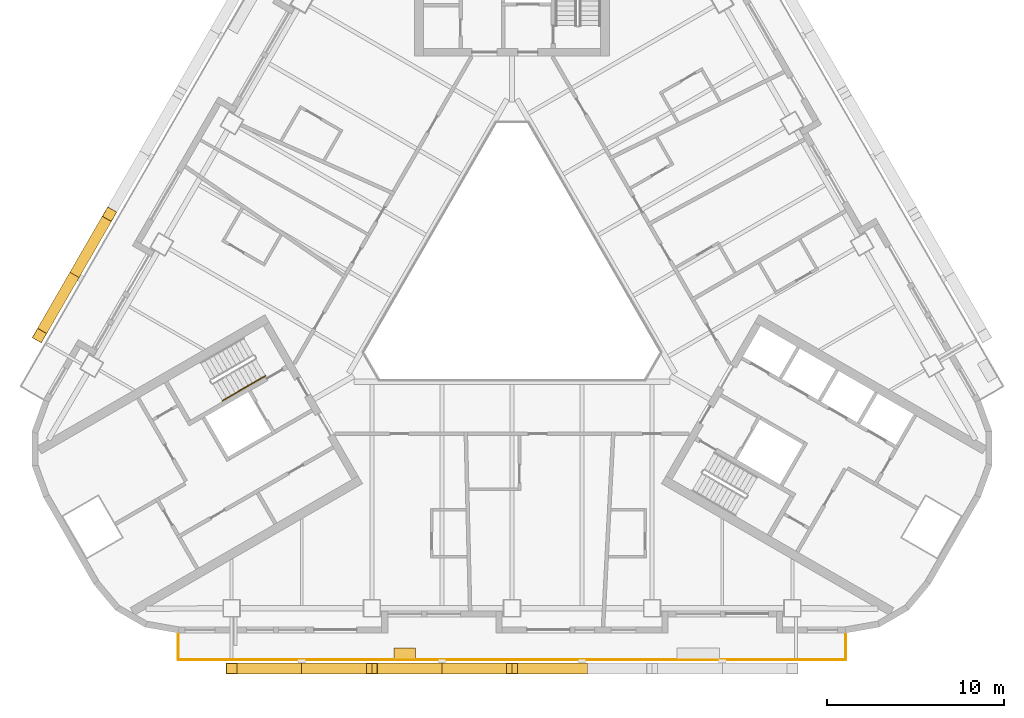
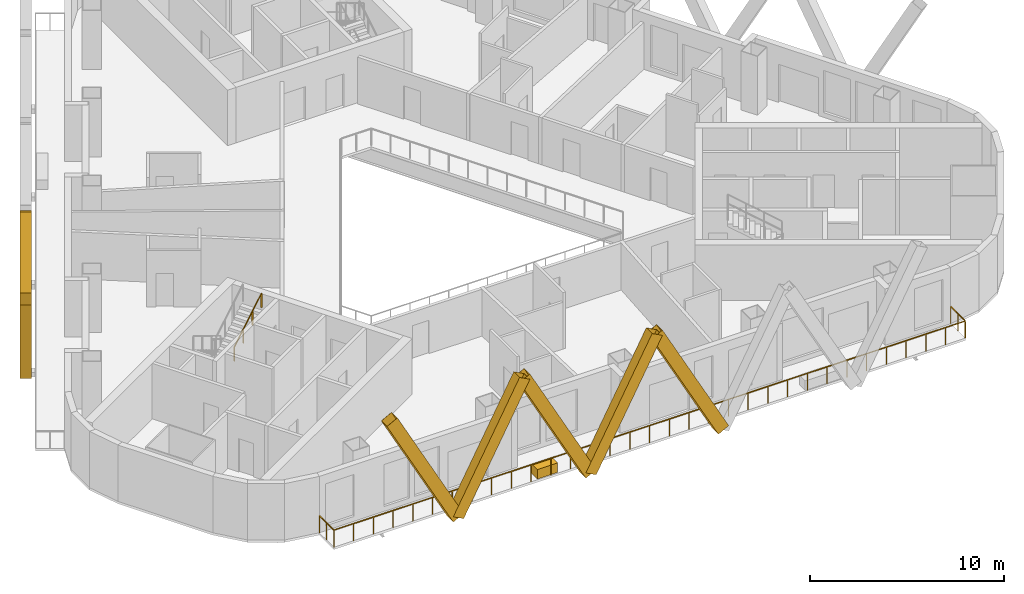
# One storey, part 8 of 13: 7 shading devices, 2 railings, 1 covering.
"""IFC4 building model written with IfcOpenShell, lengths in metres."""

from ifc_helpers import new_model, si_unit, direction, frame, origin, origin_2d, place, context, subcontext, project, spatial, rectangle, hollow_rectangle, circle, extrude, material, material_profile, profile_set, type_object, element, save


model = new_model("IFC4")

# Units and contexts
model_context = context("Model", 3, precision=1e-05, world=origin(), true_north=direction((0.0, 1.0)))
body_context = subcontext(model_context, "Body", "Model", "MODEL_VIEW")
ifc_project = project(units=[si_unit("LENGTHUNIT", "METRE"), si_unit("AREAUNIT", "SQUARE_METRE"), si_unit("VOLUMEUNIT", "CUBIC_METRE"), si_unit("PLANEANGLEUNIT", "RADIAN"), si_unit("MASSUNIT", "GRAM", prefix="KILO")], contexts=[model_context])

# Site, building, storey
site_placement = place(None, origin())
site = spatial("IfcSite", under=ifc_project, at=site_placement, CompositionType="ELEMENT")
building_placement = place(site_placement, origin())
building = spatial("IfcBuilding", under=site, at=building_placement, Name="Apuvela Tower Hotel", CompositionType="ELEMENT")
storey_placement = place(building_placement, frame((0.0, 0.0, 83.5)))
storey = spatial("IfcBuildingStorey", under=building, at=storey_placement, Name="L18", CompositionType="ELEMENT", Elevation=83.5)

# Railing
ifc_material_1 = material(Name="Stainless steel 316 handrail", Category="steel")
railing_type_1 = type_object("IfcRailingType", Name="COR-HANDRAIL-900", PredefinedType="HANDRAIL", material=ifc_material_1)
railing_1_placement = place(storey_placement, frame((-16.31884765625, -6.534912109375, 2.01806640625)))
element("IfcRailing", 1, at=railing_1_placement, inside=storey, type_object=railing_type_1, Name="L18 ST2 stair handrail 2", PredefinedType="HANDRAIL", context=body_context, shape_type="SweptSolid", body=[
    extrude(circle(Radius=0.02392578125, at=origin_2d()), frame((0.0, 0.0, 0.8759765625), z_axis=(0.742390482028, 0.42860119049, 0.514934356695), x_axis=(-0.49998411664, 0.866034573852, 0.0)), (0.0, 0.0, 1.0), 3.26611328125),
    extrude(rectangle(XDim=0.0419921875, YDim=0.0419921875, at=origin_2d()), origin(), (0.0, 0.0, 1.0), 0.851806640625),
    extrude(rectangle(XDim=0.0419921875, YDim=0.0419921875, at=origin_2d()), frame((0.808349609375, 0.466552734375, 0.560546875)), (0.0, 0.0, 1.0), 0.851806640625),
    extrude(rectangle(XDim=0.0419921875, YDim=0.0419921875, at=origin_2d()), frame((1.616455078125, 0.933349609375, 1.121337890625)), (0.0, 0.0, 1.0), 0.851806640625),
    extrude(rectangle(XDim=0.0419921875, YDim=0.0419921875, at=origin_2d()), frame((2.4248046875, 1.39990234375, 1.681884765625)), (0.0, 0.0, 1.0), 0.851806640625),
])

# Shading devices
ifc_material_2 = material(Name="Aluminium 6063-T6, black anodised", Category="aluminium")
ifc_material_profile = material_profile(ifc_material_2, hollow_rectangle(XDim=0.60009765625, YDim=0.699951171875, WallThickness=0.011962890625, at=origin_2d()), Name="AL BOX 700x600x12")
ifc_profile_set = profile_set([ifc_material_profile], Name="Aluminium 6063-T6, black anodised")
shading_device_type = type_object("IfcShadingDeviceType", Name="ENV-FIN-700x600", PredefinedType="USERDEFINED", material=ifc_profile_set)
for number, where, z_axis, x_axis, name in (
    (2, (-11.85009765625, -21.6298828125, -0.10009765625), (-0.470885802113, 0.0, 0.882194174413), (0.0, -1.0, 0.0), "Lattice fin S41"),
    (3, (-11.85009765625, -21.6298828125, -0.10009765625), (0.470908452903, 0.0, 0.882182083804), (0.0, 1.0, 0.0), "Lattice fin S42"),
    (4, (-3.949951171875, -21.6298828125, -0.10009765625), (-0.470885802113, 0.0, 0.882194174413), (0.0, -1.0, 0.0), "Lattice fin S43"),
    (5, (-3.949951171875, -21.6298828125, -0.10009765625), (0.470885802113, 0.0, 0.882194174413), (0.0, 1.0, 0.0), "Lattice fin S44"),
    (6, (3.949951171875, -21.6298828125, -0.10009765625), (-0.470885802113, 0.0, 0.882194174413), (0.0, -1.0, 0.0), "Lattice fin S45"),
    (7, (-24.656982421875, 0.552490234375, -0.10009765625), (0.235427548578, 0.407814415956, 0.882191176281), (-0.866047669374, 0.499961432884, 0.0), "Lattice fin NW143"),
    (8, (-24.656982421875, 0.552490234375, -0.10009765625), (-0.235457834389, -0.407787356937, 0.88219560175), (0.866005453737, -0.500034552904, 0.0), "Lattice fin NW144"),
):
    element("IfcShadingDevice", number, at=place(storey_placement, frame(where, z_axis=z_axis, x_axis=x_axis)), inside=storey, type_object=shading_device_type, Name=name, ObjectType="FIN", PredefinedType="USERDEFINED", context=body_context, shape_type="SweptSolid", body=[
        extrude(hollow_rectangle(XDim=0.60009765625, YDim=0.699951171875, WallThickness=0.011962890625, at=origin_2d()), origin(), (0.0, 0.0, 1.0), 8.388427734375),
    ])

# Railing
ifc_material_3 = material(Name="Stainless steel 316 rail with laminated glass infill", Category="steel")
railing_type_2 = type_object("IfcRailingType", Name="ENV-GUARD-1100", PredefinedType="GUARDRAIL", material=ifc_material_3)
railing_2_placement = place(storey_placement, frame((-18.81591796875, -19.6298828125, 0.0)))
element("IfcRailing", 9, at=railing_2_placement, inside=storey, type_object=railing_type_2, Name="Balcony guard S L18", PredefinedType="GUARDRAIL", context=body_context, shape_type="SweptSolid", body=[
    extrude(rectangle(XDim=0.050048828125, YDim=0.050048828125, at=origin_2d()), frame((0.0, 0.0, 1.0751953125), z_axis=(0.0, -1.0, 0.0), x_axis=(1.0, 0.0, 0.0)), (0.0, 0.0, 1.0), 1.5),
    extrude(rectangle(XDim=0.050048828125, YDim=0.050048828125, at=origin_2d()), frame((0.0, -1.5, 1.0751953125), z_axis=(1.0, 0.0, 0.0), x_axis=(0.0, 1.0, 0.0)), (0.0, 0.0, 1.0), 37.6318359375),
    extrude(rectangle(XDim=0.050048828125, YDim=0.050048828125, at=origin_2d()), frame((37.6318359375, -1.5, 1.0751953125), z_axis=(0.0, 1.0, 0.0), x_axis=(-1.0, 0.0, 0.0)), (0.0, 0.0, 1.0), 1.5),
    extrude(rectangle(XDim=0.0400390625, YDim=0.0400390625, at=origin_2d()), origin(), (0.0, 0.0, 1.0), 1.050048828125),
    extrude(rectangle(XDim=0.0400390625, YDim=0.0400390625, at=origin_2d()), frame((0.0, -0.75, 0.0)), (0.0, 0.0, 1.0), 1.050048828125),
    extrude(rectangle(XDim=0.0400390625, YDim=0.0400390625, at=origin_2d()), frame((0.0, -1.5, 0.0)), (0.0, 0.0, 1.0), 1.050048828125),
    extrude(rectangle(XDim=0.0400390625, YDim=0.0400390625, at=origin_2d()), frame((1.176025390625, -1.5, 0.0)), (0.0, 0.0, 1.0), 1.050048828125),
    extrude(rectangle(XDim=0.0400390625, YDim=0.0400390625, at=origin_2d()), frame((2.35205078125, -1.5, 0.0)), (0.0, 0.0, 1.0), 1.050048828125),
    extrude(rectangle(XDim=0.0400390625, YDim=0.0400390625, at=origin_2d()), frame((3.528076171875, -1.5, 0.0)), (0.0, 0.0, 1.0), 1.050048828125),
    extrude(rectangle(XDim=0.0400390625, YDim=0.0400390625, at=origin_2d()), frame((4.7041015625, -1.5, 0.0)), (0.0, 0.0, 1.0), 1.050048828125),
    extrude(rectangle(XDim=0.0400390625, YDim=0.0400390625, at=origin_2d()), frame((5.8798828125, -1.5, 0.0)), (0.0, 0.0, 1.0), 1.050048828125),
    extrude(rectangle(XDim=0.0400390625, YDim=0.0400390625, at=origin_2d()), frame((7.055908203125, -1.5, 0.0)), (0.0, 0.0, 1.0), 1.050048828125),
    extrude(rectangle(XDim=0.0400390625, YDim=0.0400390625, at=origin_2d()), frame((8.23193359375, -1.5, 0.0)), (0.0, 0.0, 1.0), 1.050048828125),
    extrude(rectangle(XDim=0.0400390625, YDim=0.0400390625, at=origin_2d()), frame((9.407958984375, -1.5, 0.0)), (0.0, 0.0, 1.0), 1.050048828125),
    extrude(rectangle(XDim=0.0400390625, YDim=0.0400390625, at=origin_2d()), frame((10.583984375, -1.5, 0.0)), (0.0, 0.0, 1.0), 1.050048828125),
    extrude(rectangle(XDim=0.0400390625, YDim=0.0400390625, at=origin_2d()), frame((11.760009765625, -1.5, 0.0)), (0.0, 0.0, 1.0), 1.050048828125),
    extrude(rectangle(XDim=0.0400390625, YDim=0.0400390625, at=origin_2d()), frame((12.93603515625, -1.5, 0.0)), (0.0, 0.0, 1.0), 1.050048828125),
    extrude(rectangle(XDim=0.0400390625, YDim=0.0400390625, at=origin_2d()), frame((14.11181640625, -1.5, 0.0)), (0.0, 0.0, 1.0), 1.050048828125),
    extrude(rectangle(XDim=0.0400390625, YDim=0.0400390625, at=origin_2d()), frame((15.287841796875, -1.5, 0.0)), (0.0, 0.0, 1.0), 1.050048828125),
    extrude(rectangle(XDim=0.0400390625, YDim=0.0400390625, at=origin_2d()), frame((16.4638671875, -1.5, 0.0)), (0.0, 0.0, 1.0), 1.050048828125),
    extrude(rectangle(XDim=0.0400390625, YDim=0.0400390625, at=origin_2d()), frame((17.639892578125, -1.5, 0.0)), (0.0, 0.0, 1.0), 1.050048828125),
    extrude(rectangle(XDim=0.0400390625, YDim=0.0400390625, at=origin_2d()), frame((18.81591796875, -1.5, 0.0)), (0.0, 0.0, 1.0), 1.050048828125),
    extrude(rectangle(XDim=0.0400390625, YDim=0.0400390625, at=origin_2d()), frame((19.991943359375, -1.5, 0.0)), (0.0, 0.0, 1.0), 1.050048828125),
    extrude(rectangle(XDim=0.0400390625, YDim=0.0400390625, at=origin_2d()), frame((21.16796875, -1.5, 0.0)), (0.0, 0.0, 1.0), 1.050048828125),
    extrude(rectangle(XDim=0.0400390625, YDim=0.0400390625, at=origin_2d()), frame((22.343994140625, -1.5, 0.0)), (0.0, 0.0, 1.0), 1.050048828125),
    extrude(rectangle(XDim=0.0400390625, YDim=0.0400390625, at=origin_2d()), frame((23.52001953125, -1.5, 0.0)), (0.0, 0.0, 1.0), 1.050048828125),
    extrude(rectangle(XDim=0.0400390625, YDim=0.0400390625, at=origin_2d()), frame((24.69580078125, -1.5, 0.0)), (0.0, 0.0, 1.0), 1.050048828125),
    extrude(rectangle(XDim=0.0400390625, YDim=0.0400390625, at=origin_2d()), frame((25.871826171875, -1.5, 0.0)), (0.0, 0.0, 1.0), 1.050048828125),
    extrude(rectangle(XDim=0.0400390625, YDim=0.0400390625, at=origin_2d()), frame((27.0478515625, -1.5, 0.0)), (0.0, 0.0, 1.0), 1.050048828125),
    extrude(rectangle(XDim=0.0400390625, YDim=0.0400390625, at=origin_2d()), frame((28.223876953125, -1.5, 0.0)), (0.0, 0.0, 1.0), 1.050048828125),
    extrude(rectangle(XDim=0.0400390625, YDim=0.0400390625, at=origin_2d()), frame((29.39990234375, -1.5, 0.0)), (0.0, 0.0, 1.0), 1.050048828125),
    extrude(rectangle(XDim=0.0400390625, YDim=0.0400390625, at=origin_2d()), frame((30.575927734375, -1.5, 0.0)), (0.0, 0.0, 1.0), 1.050048828125),
    extrude(rectangle(XDim=0.0400390625, YDim=0.0400390625, at=origin_2d()), frame((31.751953125, -1.5, 0.0)), (0.0, 0.0, 1.0), 1.050048828125),
    extrude(rectangle(XDim=0.0400390625, YDim=0.0400390625, at=origin_2d()), frame((32.927734375, -1.5, 0.0)), (0.0, 0.0, 1.0), 1.050048828125),
    extrude(rectangle(XDim=0.0400390625, YDim=0.0400390625, at=origin_2d()), frame((34.103759765625, -1.5, 0.0)), (0.0, 0.0, 1.0), 1.050048828125),
    extrude(rectangle(XDim=0.0400390625, YDim=0.0400390625, at=origin_2d()), frame((35.27978515625, -1.5, 0.0)), (0.0, 0.0, 1.0), 1.050048828125),
    extrude(rectangle(XDim=0.0400390625, YDim=0.0400390625, at=origin_2d()), frame((36.455810546875, -1.5, 0.0)), (0.0, 0.0, 1.0), 1.050048828125),
    extrude(rectangle(XDim=0.0400390625, YDim=0.0400390625, at=origin_2d()), frame((37.6318359375, -1.5, 0.0)), (0.0, 0.0, 1.0), 1.050048828125),
    extrude(rectangle(XDim=0.0400390625, YDim=0.0400390625, at=origin_2d()), frame((37.6318359375, -0.75, 0.0)), (0.0, 0.0, 1.0), 1.050048828125),
    extrude(rectangle(XDim=0.0400390625, YDim=0.0400390625, at=origin_2d()), frame((37.6318359375, 0.0, 0.0)), (0.0, 0.0, 1.0), 1.050048828125),
])

# Covering
ifc_material_4 = material(Name="Planting substrate and soil, planted")
covering_type = type_object("IfcCoveringType", Name="ENV-PLANTER-1200x600", PredefinedType="USERDEFINED", material=ifc_material_4)
covering_placement = place(storey_placement, frame((-6.049560546875, -20.780029296875, 0.0), z_axis=(0.0, 0.0, 1.0), x_axis=(1.0, 0.0, 0.0)))
element("IfcCovering", 10, at=covering_placement, inside=storey, type_object=covering_type, Name="Planter S1", ObjectType="PLANTER", PredefinedType="USERDEFINED", context=body_context, shape_type="SweptSolid", body=[
    extrude(rectangle(XDim=1.199951171875, YDim=0.60009765625, at=origin_2d()), origin(), (0.0, 0.0, 1.0), 0.60009765625),
])

save(model, "model.ifc")
